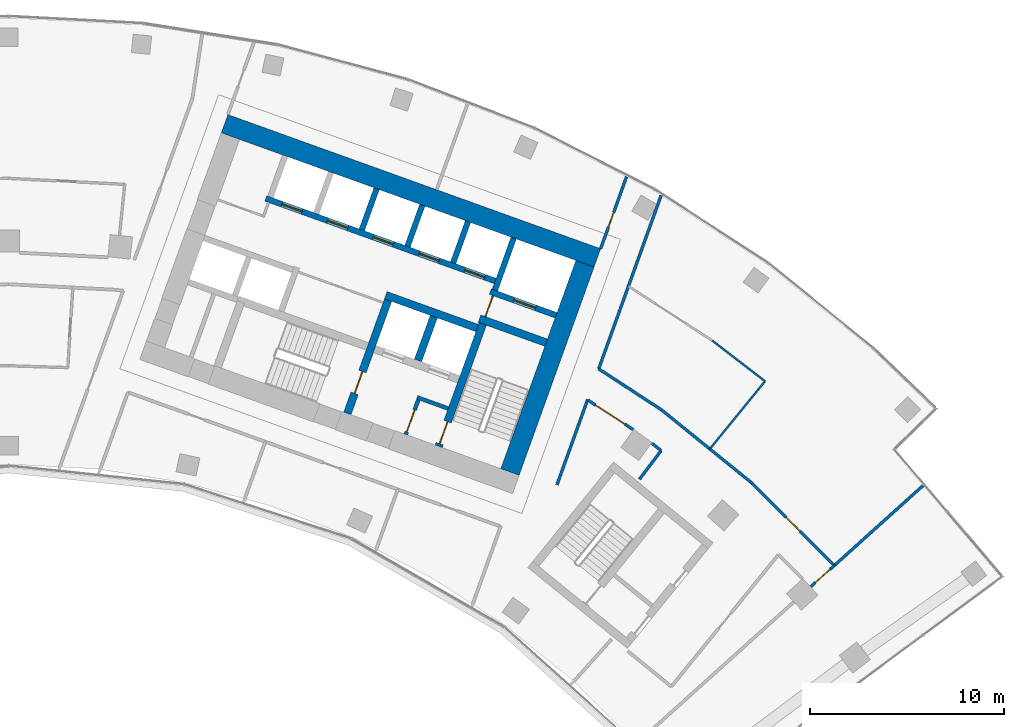
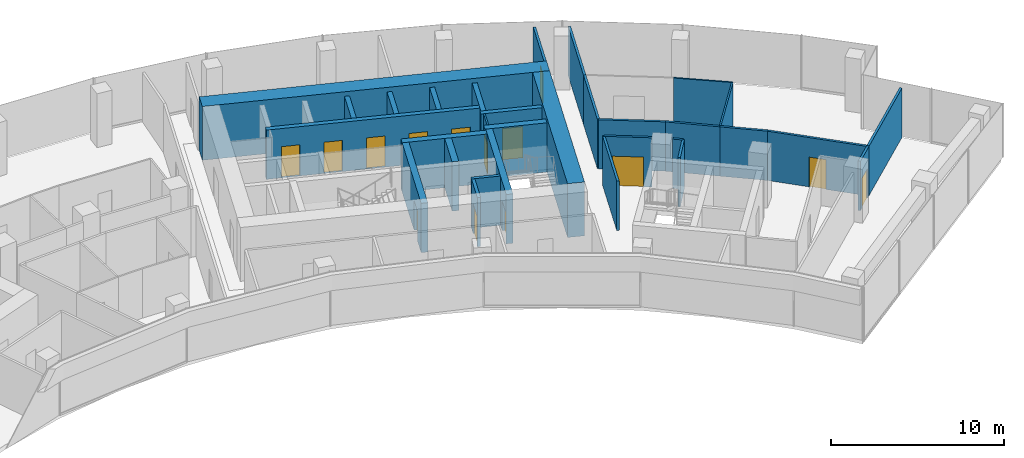
# One storey, part 16 of 19: 31 walls, 14 doors, 14 openings.
"""IFC4 building model written with IfcOpenShell, lengths in metres."""

import ifcopenshell
import ifcopenshell.guid

model = None  # the IFC model being written
_history = None  # IfcOwnerHistory: only IFC2X3 demands one
_inside = {}  # id of a spatial element -> (the spatial element, [elements in it])
_under = {}  # id of a project, library or spatial element -> (it, [spatial elements below it])
_declared = {}  # id of a project -> (the project, [libraries it declares])
_typed = {}  # id of a type object -> (the type object, [elements of that type])
_made_of = {}  # id of a material, layer set ... -> (it, [elements and type objects made of it])


def new_model(schema):
    """Start an empty IFC model of exactly this schema.

    Asked for "IFC4X3", IfcOpenShell would pick the latest addendum, in which some entities
    have other attributes; the version numbers below select the first issue.
    IFC2X3 requires an IfcOwnerHistory on every rooted entity: one is made here for all.
    """
    global model, _history
    if schema == "IFC4X3":
        model = ifcopenshell.file(schema_version=(4, 3, 0, 0))
    else:
        model = ifcopenshell.file(schema=schema)
    _inside.clear()
    _under.clear()
    _declared.clear()
    _typed.clear()
    _made_of.clear()
    _history = None
    if model.schema == "IFC2X3":
        org = make("IfcOrganization", Name="unknown")
        user = make(
            "IfcPersonAndOrganization",
            ThePerson=make("IfcPerson", FamilyName="unknown"),
            TheOrganization=org,
        )
        app = make(
            "IfcApplication",
            ApplicationDeveloper=org,
            Version="unknown",
            ApplicationFullName="unknown",
            ApplicationIdentifier="unknown",
        )
        _history = make(
            "IfcOwnerHistory",
            OwningUser=user,
            OwningApplication=app,
            ChangeAction="ADDED",
            CreationDate=0,
        )
    return model


def make(cls, **values):
    """One entity of the class cls with the attributes given. An attribute that is None is left unset."""
    return model.create_entity(
        cls, **{name: value for name, value in values.items() if value is not None}
    )


def rooted(cls, **values):
    """An entity with a GlobalId (a new one), such as an element, a storey or a relation."""
    return make(cls, GlobalId=ifcopenshell.guid.new(), OwnerHistory=_history, **values)


def si_unit(unit_type, name, prefix=None):
    """IfcSIUnit, for example si_unit("LENGTHUNIT", "METRE", prefix="MILLI")."""
    return make("IfcSIUnit", UnitType=unit_type, Prefix=prefix, Name=name)


def assignment(units):
    """IfcUnitAssignment: the units of a project."""
    return None if units is None else make("IfcUnitAssignment", Units=units)


def point(xyz):
    """IfcCartesianPoint."""
    return None if xyz is None else make("IfcCartesianPoint", Coordinates=xyz)


def direction(xyz):
    """IfcDirection."""
    return None if xyz is None else make("IfcDirection", DirectionRatios=xyz)


def frame(location, z_axis=None, x_axis=None):
    """IfcAxis2Placement3D, a coordinate frame: its origin and axes. An axis left out is left unset."""
    return make(
        "IfcAxis2Placement3D",
        Location=point(location),
        Axis=direction(z_axis),
        RefDirection=direction(x_axis),
    )


def frame_2d(location, x_axis=None):
    """IfcAxis2Placement2D, a coordinate frame in the plane: its origin and x axis."""
    return make(
        "IfcAxis2Placement2D", Location=point(location), RefDirection=direction(x_axis)
    )


def origin():
    """The frame at (0, 0, 0) with its axes left unset."""
    return frame((0.0, 0.0, 0.0))


def place(relative_to, where):
    """IfcLocalPlacement: puts the frame where relative to a parent placement (None: the world)."""
    return make(
        "IfcLocalPlacement", PlacementRelTo=relative_to, RelativePlacement=where
    )


def context(
    kind, dimensions, precision=None, world=None, true_north=None, identifier=None
):
    """IfcGeometricRepresentationContext, for example the 3D "Model" context."""
    return make(
        "IfcGeometricRepresentationContext",
        ContextIdentifier=identifier,
        ContextType=kind,
        CoordinateSpaceDimension=dimensions,
        Precision=precision,
        WorldCoordinateSystem=world,
        TrueNorth=true_north,
    )


def subcontext(parent, identifier, kind, view, scale=None):
    """IfcGeometricRepresentationSubContext, for example "Body" below "Model"."""
    return make(
        "IfcGeometricRepresentationSubContext",
        ContextIdentifier=identifier,
        ContextType=kind,
        ParentContext=parent,
        TargetScale=scale,
        TargetView=view,
    )


def project(units=None, contexts=None):
    """IfcProject with its units and contexts."""
    return rooted(
        "IfcProject",
        Name="project",
        RepresentationContexts=contexts,
        UnitsInContext=assignment(units),
    )


def spatial(cls, under=None, at=None, **own):
    """A site, building, storey or space (cls), placed at a placement, below another one or the project."""
    s = rooted(cls, ObjectPlacement=at, **own)
    if under is not None:
        _under.setdefault(under.id(), (under, []))[1].append(s)
    return s


def profile(cls, at=None, kind="AREA", **sizes):
    """A parametric profile (cls). Its sizes go by their IFC names, for example OverallWidth=200.0."""
    return make(cls, ProfileType=kind, Position=at, **sizes)


def rectangle(**sizes):
    """IfcRectangleProfileDef."""
    return profile("IfcRectangleProfileDef", **sizes)


def extrude(swept, where, along, depth):
    """IfcExtrudedAreaSolid: the profile swept, set in the frame where, extruded along a direction by depth."""
    return make(
        "IfcExtrudedAreaSolid",
        SweptArea=swept,
        Position=where,
        ExtrudedDirection=direction(along),
        Depth=depth,
    )


def shape(context_of_items, identifier, shape_type, items):
    """IfcShapeRepresentation: the items that make up one representation, for example the "Body"."""
    return make(
        "IfcShapeRepresentation",
        ContextOfItems=context_of_items,
        RepresentationIdentifier=identifier,
        RepresentationType=shape_type,
        Items=items,
    )


def material(Name=None, Category=None):
    """IfcMaterial."""
    return make("IfcMaterial", Name=Name, Category=Category)


def layer(
    of_material, thickness, ventilated=None, Name=None, Category=None, Priority=None
):
    """IfcMaterialLayer: one layer of a wall or slab, of a material (None: an air gap)."""
    return make(
        "IfcMaterialLayer",
        Material=of_material,
        LayerThickness=thickness,
        IsVentilated=ventilated,
        Name=Name,
        Category=Category,
        Priority=Priority,
    )


def layer_set(layers, Name=None):
    """IfcMaterialLayerSet."""
    return make("IfcMaterialLayerSet", MaterialLayers=layers, LayerSetName=Name)


def made_of(thing, what):
    """Note that an element or type object is made of a material, layer set ...; save() writes the relation."""
    if what is not None:
        _made_of.setdefault(what.id(), (what, []))[1].append(thing)
    return thing


def type_object(cls, material=None, **own):
    """A type object (cls), such as IfcWallType, which elements share."""
    return made_of(rooted(cls, **own), material)


def element(
    cls,
    number,
    at=None,
    inside=None,
    cuts=None,
    type_object=None,
    material=None,
    context=None,
    identifier="Body",
    shape_type=None,
    held_by="IfcProductDefinitionShape",
    body=None,
    shapes=None,
    **own,
):
    """One element of the class cls, such as IfcWall. Its Tag is "e" and its number.

    at: its placement. inside: the storey or other place that contains it. cuts: it is an
    opening in that element (IfcRelVoidsElement). A single representation is given by context,
    identifier, shape_type and body (its items); several are given by shapes. held_by: the class
    of the entity that holds the representations. save() writes the other relations.
    """
    e = rooted(cls, Tag="e%d" % number, ObjectPlacement=at, **own)
    if body is not None:
        shapes = [shape(context, identifier, shape_type, body)]
    if shapes is not None:
        e.Representation = make(held_by, Representations=shapes)
    if inside is not None:
        _inside.setdefault(inside.id(), (inside, []))[1].append(e)
    if cuts is not None:
        rooted(
            "IfcRelVoidsElement", RelatingBuildingElement=cuts, RelatedOpeningElement=e
        )
    if type_object is not None:
        _typed.setdefault(type_object.id(), (type_object, []))[1].append(e)
    return made_of(e, material)


def fill(opening, filler):
    """IfcRelFillsElement: the door or window that sits in an opening."""
    return rooted(
        "IfcRelFillsElement",
        RelatingOpeningElement=opening,
        RelatedBuildingElement=filler,
    )


def aggregate(whole, parts):
    """IfcRelAggregates: a whole, such as a stair, and the parts it consists of."""
    return rooted("IfcRelAggregates", RelatingObject=whole, RelatedObjects=parts)


def save(model, path):
    """Write the relations noted so far, then the file.

    IfcRelAggregates (storeys below a building ...), IfcRelContainedInSpatialStructure (elements
    in a storey), IfcRelDefinesByType, IfcRelAssociatesMaterial and IfcRelDeclares: one each for
    every whole, place, type object, material and project.
    """
    for whole, parts in _under.values():
        aggregate(whole, parts)
    for where, things in _inside.values():
        rooted(
            "IfcRelContainedInSpatialStructure",
            RelatedElements=things,
            RelatingStructure=where,
        )
    for kind, things in _typed.values():
        rooted("IfcRelDefinesByType", RelatedObjects=things, RelatingType=kind)
    for what, things in _made_of.values():
        rooted("IfcRelAssociatesMaterial", RelatedObjects=things, RelatingMaterial=what)
    for by, libraries in _declared.values():
        rooted("IfcRelDeclares", RelatingContext=by, RelatedDefinitions=libraries)
    model.write(path)


model = new_model("IFC4")

# Units and contexts
model_context = context("Model", 3, precision=1e-05, world=origin(), true_north=direction((0.0, 1.0)))
body_context = subcontext(model_context, "Body", "Model", "MODEL_VIEW")
ifc_project = project(units=[si_unit("LENGTHUNIT", "METRE"), si_unit("AREAUNIT", "SQUARE_METRE"), si_unit("VOLUMEUNIT", "CUBIC_METRE"), si_unit("PLANEANGLEUNIT", "RADIAN"), si_unit("MASSUNIT", "GRAM", prefix="KILO")], contexts=[model_context])

# Site, building, storey
site_placement = place(None, origin())
site = spatial("IfcSite", under=ifc_project, at=site_placement, CompositionType="ELEMENT")
building_placement = place(site_placement, origin())
building = spatial("IfcBuilding", under=site, at=building_placement, Name="Stone Belt Terrace Tower", CompositionType="ELEMENT")
storey_placement = place(building_placement, frame((0.0, 0.0, 204.800048828125)))
storey = spatial("IfcBuildingStorey", under=building, at=storey_placement, Name="L49", CompositionType="ELEMENT", Elevation=204.800048828125)

# Wall, opening, door
ifc_material_1 = material(Name="Plasterboard partition")
ifc_layer_1 = layer(ifc_material_1, 0.10009765625)
ifc_layer_set_1 = layer_set([ifc_layer_1], Name="Core partition 100")
wall_type_1 = type_object("IfcWallType", Name="Core partition 100", PredefinedType="PARTITIONING", material=ifc_layer_set_1)
wall_1_placement = place(storey_placement, frame((24.555908203125, 51.10400390625, 0.0), z_axis=(0.0, 0.0, 1.0), x_axis=(0.338621735342, 0.94092258999, 0.0)))
wall_1 = element("IfcWall", 1, at=wall_1_placement, inside=storey, type_object=wall_type_1, Name="Core B wall", PredefinedType="PARTITIONING", context=body_context, shape_type="SweptSolid", body=[
    extrude(rectangle(XDim=1.14990234375, YDim=0.10009765625, at=frame_2d((0.574951171875, 0.0))), origin(), (0.0, 0.0, 1.0), 3.47998046875),
])
opening_1_placement = place(wall_1_placement, frame((0.050048828125, 0.0, 0.0)))
opening_1 = element("IfcOpeningElement", 2, at=opening_1_placement, cuts=wall_1, Name="Opening L49-C14", PredefinedType="OPENING", context=body_context, shape_type="SweptSolid", body=[
    extrude(rectangle(XDim=1.0, YDim=2.10009765625, at=frame_2d((0.5, 1.050048828125))), frame((0.0, 0.06005859375, 0.0), z_axis=(0.0, -1.0, 0.0), x_axis=(1.0, 0.0, 0.0)), (0.0, 0.0, 1.0), 0.1201171875),
])
ifc_material_2 = material(Name="Timber door leaf", Category="wood")
door_type_1 = type_object("IfcDoorType", Name="Core room door 1000", OperationType="SINGLE_SWING_LEFT", PredefinedType="DOOR", material=ifc_material_2)
door_1_placement = place(opening_1_placement, origin())
door_1 = element("IfcDoor", 3, at=door_1_placement, inside=storey, type_object=door_type_1, Name="Service lift lobby door core B", OperationType="SINGLE_SWING_LEFT", OverallHeight=2.10009765625, OverallWidth=1.0, PredefinedType="DOOR", context=body_context, shape_type="SweptSolid", body=[
    extrude(rectangle(XDim=1.0, YDim=2.10009765625, at=frame_2d((0.5, 1.050048828125))), frame((0.0, 0.02490234375, 0.0), z_axis=(0.0, -1.0, 0.0), x_axis=(1.0, 0.0, 0.0)), (0.0, 0.0, 1.0), 0.050048828125),
])
fill(opening_1, door_1)

# Walls
ifc_material_3 = material(Name="Concrete B60", Category="concrete")
ifc_layer_2 = layer(ifc_material_3, 1.0)
ifc_layer_set_2 = layer_set([ifc_layer_2], Name="Core wall 1000 B60")
wall_type_2 = type_object("IfcWallType", Name="Core wall 1000 B60", PredefinedType="SHEAR", material=ifc_layer_set_2)
wall_2_placement = place(storey_placement, frame((11.12646484375, 61.038330078125, 0.0), z_axis=(0.0, 0.0, 1.0), x_axis=(0.940921428504, -0.338624962727, 0.0)))
element("IfcWall", 4, at=wall_2_placement, inside=storey, type_object=wall_type_2, Name="Core B wall convex L49", PredefinedType="SHEAR", context=body_context, shape_type="SweptSolid", body=[
    extrude(rectangle(XDim=20.400146484375, YDim=1.0, at=frame_2d((10.2001953125, 0.0))), origin(), (0.0, 0.0, 1.0), 3.800048828125),
])
wall_3_placement = place(storey_placement, frame((25.821044921875, 43.102783203125, 0.0), z_axis=(0.0, 0.0, 1.0), x_axis=(0.338625431531, 0.940921259788, 0.0)))
element("IfcWall", 5, at=wall_3_placement, inside=storey, type_object=wall_type_2, Name="Core B wall end_b L49", PredefinedType="SHEAR", context=body_context, shape_type="SweptSolid", body=[
    extrude(rectangle(XDim=11.400146484375, YDim=1.0, at=frame_2d((5.7001953125, 0.0))), origin(), (0.0, 0.0, 1.0), 3.800048828125),
])
ifc_material_4 = material(Name="Concrete B80", Category="concrete")
ifc_layer_3 = layer(ifc_material_4, 0.39990234375)
ifc_layer_set_3 = layer_set([ifc_layer_3], Name="Fire-fighting lift shaft wall 400")
wall_type_3 = type_object("IfcWallType", Name="Fire-fighting lift shaft wall 400", PredefinedType="SHEAR", material=ifc_layer_set_3)
wall_4_placement = place(storey_placement, frame((24.130615234375, 50.512939453125, 0.0), z_axis=(0.0, 0.0, 1.0), x_axis=(-0.94091168377, 0.338652038744, 0.0)))
element("IfcWall", 6, at=wall_4_placement, inside=storey, type_object=wall_type_3, Name="Core B wall", PredefinedType="SHEAR", context=body_context, shape_type="SweptSolid", body=[
    extrude(rectangle(XDim=5.000244140625, YDim=0.39990234375, at=frame_2d((2.5, 0.0))), origin(), (0.0, 0.0, 1.0), 3.47998046875),
])
wall_5_placement = place(storey_placement, frame((21.0859375, 48.845458984375, 0.0), z_axis=(0.0, 0.0, 1.0), x_axis=(0.338629416206, 0.940919825745, 0.0)))
element("IfcWall", 7, at=wall_5_placement, inside=storey, type_object=wall_type_3, Name="Core B wall", PredefinedType="SHEAR", context=body_context, shape_type="SweptSolid", body=[
    extrude(rectangle(XDim=2.400146484375, YDim=0.39990234375, at=frame_2d((1.2001953125, 0.0))), origin(), (0.0, 0.0, 1.0), 3.47998046875),
])

# Wall, opening, door
ifc_layer_4 = layer(ifc_material_4, 0.300048828125)
ifc_layer_set_4 = layer_set([ifc_layer_4], Name="Lift shaft wall 300")
wall_type_4 = type_object("IfcWallType", Name="Lift shaft wall 300", PredefinedType="SHEAR", material=ifc_layer_set_4)
wall_6_placement = place(storey_placement, frame((28.195068359375, 51.17578125, 0.0), z_axis=(0.0, 0.0, 1.0), x_axis=(-0.940901243567, 0.338681044427, 0.0)))
wall_6 = element("IfcWall", 8, at=wall_6_placement, inside=storey, type_object=wall_type_4, Name="Core B wall", PredefinedType="SHEAR", context=body_context, shape_type="SweptSolid", body=[
    extrude(rectangle(XDim=3.599853515625, YDim=0.300048828125, at=frame_2d((1.7998046875, 0.0))), origin(), (0.0, 0.0, 1.0), 3.47998046875),
])
opening_2_placement = place(wall_6_placement, frame((1.1201171875, 0.0, 0.0)))
opening_2 = element("IfcOpeningElement", 9, at=opening_2_placement, cuts=wall_6, Name="Opening L49-LD16", PredefinedType="OPENING", context=body_context, shape_type="SweptSolid", body=[
    extrude(rectangle(XDim=1.199951171875, YDim=2.199951171875, at=frame_2d((0.60009765625, 1.10009765625))), frame((0.0, 0.159912109375, 0.0), z_axis=(0.0, -1.0, 0.0), x_axis=(1.0, 0.0, 0.0)), (0.0, 0.0, 1.0), 0.320068359375),
])
ifc_material_5 = material(Name="Stainless steel door leaf", Category="steel")
door_type_2 = type_object("IfcDoorType", Name="Landing door 1200", OperationType="SLIDING_TO_LEFT", PredefinedType="DOOR", material=ifc_material_5)
door_2_placement = place(opening_2_placement, origin())
door_2 = element("IfcDoor", 10, at=door_2_placement, inside=storey, type_object=door_type_2, Name="Landing door SV1 core B", OperationType="SLIDING_TO_LEFT", OverallHeight=2.199951171875, OverallWidth=1.199951171875, PredefinedType="DOOR", context=body_context, shape_type="SweptSolid", body=[
    extrude(rectangle(XDim=1.199951171875, YDim=2.199951171875, at=frame_2d((0.60009765625, 1.10009765625))), frame((0.0, 0.02490234375, 0.0), z_axis=(0.0, -1.0, 0.0), x_axis=(1.0, 0.0, 0.0)), (0.0, 0.0, 1.0), 0.050048828125),
])
fill(opening_2, door_2)

# Wall
wall_7_placement = place(storey_placement, frame((25.046875, 52.46826171875, 0.0), z_axis=(0.0, 0.0, 1.0), x_axis=(0.338549588058, 0.940948551423, 0.0)))
element("IfcWall", 11, at=wall_7_placement, inside=storey, type_object=wall_type_4, Name="Core B wall", PredefinedType="SHEAR", context=body_context, shape_type="SweptSolid", body=[
    extrude(rectangle(XDim=2.849853515625, YDim=0.300048828125, at=frame_2d((1.4248046875, 0.0))), origin(), (0.0, 0.0, 1.0), 3.47998046875),
])

# Wall, openings, doors
wall_8_placement = place(storey_placement, frame((25.05810546875, 52.9423828125, 0.0), z_axis=(0.0, 0.0, 1.0), x_axis=(-0.940921381676, 0.338625092847, 0.0)))
wall_8 = element("IfcWall", 12, at=wall_8_placement, inside=storey, type_object=wall_type_4, Name="Core B wall", PredefinedType="SHEAR", context=body_context, shape_type="SweptSolid", body=[
    extrude(rectangle(XDim=12.550048828125, YDim=0.300048828125, at=frame_2d((6.27490234375, 0.0))), origin(), (0.0, 0.0, 1.0), 3.47998046875),
])
opening_3_placement = place(wall_8_placement, frame((0.570068359375, 0.0, 0.0)))
opening_3 = element("IfcOpeningElement", 13, at=opening_3_placement, cuts=wall_8, Name="Opening L49-LD09", PredefinedType="OPENING", context=body_context, shape_type="SweptSolid", body=[
    extrude(rectangle(XDim=1.10009765625, YDim=2.199951171875, at=frame_2d((0.550048828125, 1.10009765625))), frame((0.0, 0.159912109375, 0.0), z_axis=(0.0, -1.0, 0.0), x_axis=(1.0, 0.0, 0.0)), (0.0, 0.0, 1.0), 0.320068359375),
])
opening_4_placement = place(wall_8_placement, frame((3.070068359375, 0.0, 0.0)))
opening_4 = element("IfcOpeningElement", 14, at=opening_4_placement, cuts=wall_8, Name="Opening L49-LD10", PredefinedType="OPENING", context=body_context, shape_type="SweptSolid", body=[
    extrude(rectangle(XDim=1.10009765625, YDim=2.199951171875, at=frame_2d((0.550048828125, 1.10009765625))), frame((0.0, 0.159912109375, 0.0), z_axis=(0.0, -1.0, 0.0), x_axis=(1.0, 0.0, 0.0)), (0.0, 0.0, 1.0), 0.320068359375),
])
opening_5_placement = place(wall_8_placement, frame((5.570068359375, 0.0, 0.0)))
opening_5 = element("IfcOpeningElement", 15, at=opening_5_placement, cuts=wall_8, Name="Opening L49-LD11", PredefinedType="OPENING", context=body_context, shape_type="SweptSolid", body=[
    extrude(rectangle(XDim=1.10009765625, YDim=2.199951171875, at=frame_2d((0.550048828125, 1.10009765625))), frame((0.0, 0.159912109375, 0.0), z_axis=(0.0, -1.0, 0.0), x_axis=(1.0, 0.0, 0.0)), (0.0, 0.0, 1.0), 0.320068359375),
])
opening_6_placement = place(wall_8_placement, frame((8.070068359375, 0.0, 0.0)))
opening_6 = element("IfcOpeningElement", 16, at=opening_6_placement, cuts=wall_8, Name="Opening L49-LD12", PredefinedType="OPENING", context=body_context, shape_type="SweptSolid", body=[
    extrude(rectangle(XDim=1.10009765625, YDim=2.199951171875, at=frame_2d((0.550048828125, 1.10009765625))), frame((0.0, 0.159912109375, 0.0), z_axis=(0.0, -1.0, 0.0), x_axis=(1.0, 0.0, 0.0)), (0.0, 0.0, 1.0), 0.320068359375),
])
opening_7_placement = place(wall_8_placement, frame((10.570068359375, 0.0, 0.0)))
opening_7 = element("IfcOpeningElement", 17, at=opening_7_placement, cuts=wall_8, Name="Opening L49-LD13", PredefinedType="OPENING", context=body_context, shape_type="SweptSolid", body=[
    extrude(rectangle(XDim=1.10009765625, YDim=2.199951171875, at=frame_2d((0.550048828125, 1.10009765625))), frame((0.0, 0.159912109375, 0.0), z_axis=(0.0, -1.0, 0.0), x_axis=(1.0, 0.0, 0.0)), (0.0, 0.0, 1.0), 0.320068359375),
])
door_type_3 = type_object("IfcDoorType", Name="Landing door 1100", OperationType="SLIDING_TO_LEFT", PredefinedType="DOOR", material=ifc_material_5)
door_3_placement = place(opening_3_placement, origin())
door_3 = element("IfcDoor", 18, at=door_3_placement, inside=storey, type_object=door_type_3, Name="Landing door MR1 core B", OperationType="SLIDING_TO_LEFT", OverallHeight=2.199951171875, OverallWidth=1.10009765625, PredefinedType="DOOR", context=body_context, shape_type="SweptSolid", body=[
    extrude(rectangle(XDim=1.10009765625, YDim=2.199951171875, at=frame_2d((0.550048828125, 1.10009765625))), frame((0.0, 0.02490234375, 0.0), z_axis=(0.0, -1.0, 0.0), x_axis=(1.0, 0.0, 0.0)), (0.0, 0.0, 1.0), 0.050048828125),
])
fill(opening_3, door_3)
door_4_placement = place(opening_4_placement, origin())
door_4 = element("IfcDoor", 19, at=door_4_placement, inside=storey, type_object=door_type_3, Name="Landing door MR2 core B", OperationType="SLIDING_TO_LEFT", OverallHeight=2.199951171875, OverallWidth=1.10009765625, PredefinedType="DOOR", context=body_context, shape_type="SweptSolid", body=[
    extrude(rectangle(XDim=1.10009765625, YDim=2.199951171875, at=frame_2d((0.550048828125, 1.10009765625))), frame((0.0, 0.02490234375, 0.0), z_axis=(0.0, -1.0, 0.0), x_axis=(1.0, 0.0, 0.0)), (0.0, 0.0, 1.0), 0.050048828125),
])
fill(opening_4, door_4)
door_5_placement = place(opening_5_placement, origin())
door_5 = element("IfcDoor", 20, at=door_5_placement, inside=storey, type_object=door_type_3, Name="Landing door MR3 core B", OperationType="SLIDING_TO_LEFT", OverallHeight=2.199951171875, OverallWidth=1.10009765625, PredefinedType="DOOR", context=body_context, shape_type="SweptSolid", body=[
    extrude(rectangle(XDim=1.10009765625, YDim=2.199951171875, at=frame_2d((0.550048828125, 1.10009765625))), frame((0.0, 0.02490234375, 0.0), z_axis=(0.0, -1.0, 0.0), x_axis=(1.0, 0.0, 0.0)), (0.0, 0.0, 1.0), 0.050048828125),
])
fill(opening_5, door_5)
door_6_placement = place(opening_6_placement, origin())
door_6 = element("IfcDoor", 21, at=door_6_placement, inside=storey, type_object=door_type_3, Name="Landing door MR4 core B", OperationType="SLIDING_TO_LEFT", OverallHeight=2.199951171875, OverallWidth=1.10009765625, PredefinedType="DOOR", context=body_context, shape_type="SweptSolid", body=[
    extrude(rectangle(XDim=1.10009765625, YDim=2.199951171875, at=frame_2d((0.550048828125, 1.10009765625))), frame((0.0, 0.02490234375, 0.0), z_axis=(0.0, -1.0, 0.0), x_axis=(1.0, 0.0, 0.0)), (0.0, 0.0, 1.0), 0.050048828125),
])
fill(opening_6, door_6)
door_7_placement = place(opening_7_placement, origin())
door_7 = element("IfcDoor", 22, at=door_7_placement, inside=storey, type_object=door_type_3, Name="Landing door MR5 core B", OperationType="SLIDING_TO_LEFT", OverallHeight=2.199951171875, OverallWidth=1.10009765625, PredefinedType="DOOR", context=body_context, shape_type="SweptSolid", body=[
    extrude(rectangle(XDim=1.10009765625, YDim=2.199951171875, at=frame_2d((0.550048828125, 1.10009765625))), frame((0.0, 0.02490234375, 0.0), z_axis=(0.0, -1.0, 0.0), x_axis=(1.0, 0.0, 0.0)), (0.0, 0.0, 1.0), 0.050048828125),
])
fill(opening_7, door_7)

# Walls
wall_9_placement = place(storey_placement, frame((22.897705078125, 53.87939453125, 0.0), z_axis=(0.0, 0.0, 1.0), x_axis=(0.338535034312, 0.940953787677, 0.0)))
element("IfcWall", 23, at=wall_9_placement, inside=storey, type_object=wall_type_4, Name="Core B wall", PredefinedType="SHEAR", context=body_context, shape_type="SweptSolid", body=[
    extrude(rectangle(XDim=2.25, YDim=0.300048828125, at=frame_2d((1.125, 0.0))), origin(), (0.0, 0.0, 1.0), 3.47998046875),
])
wall_10_placement = place(storey_placement, frame((20.54541015625, 54.72607421875, 0.0), z_axis=(0.0, 0.0, 1.0), x_axis=(0.338569601369, 0.940941350472, 0.0)))
element("IfcWall", 24, at=wall_10_placement, inside=storey, type_object=wall_type_4, Name="Core B wall", PredefinedType="SHEAR", context=body_context, shape_type="SweptSolid", body=[
    extrude(rectangle(XDim=2.249755859375, YDim=0.300048828125, at=frame_2d((1.125, 0.0))), origin(), (0.0, 0.0, 1.0), 3.47998046875),
])
wall_11_placement = place(storey_placement, frame((18.193115234375, 55.572509765625, 0.0), z_axis=(0.0, 0.0, 1.0), x_axis=(0.338535034312, 0.940953787677, 0.0)))
element("IfcWall", 25, at=wall_11_placement, inside=storey, type_object=wall_type_4, Name="Core B wall", PredefinedType="SHEAR", context=body_context, shape_type="SweptSolid", body=[
    extrude(rectangle(XDim=2.25, YDim=0.300048828125, at=frame_2d((1.125, 0.0))), origin(), (0.0, 0.0, 1.0), 3.47998046875),
])
ifc_material_6 = material(Name="Gypsum board partition")
ifc_layer_5 = layer(ifc_material_6, 0.10009765625)
ifc_layer_set_5 = layer_set([ifc_layer_5], Name="PARTITION 100")
wall_type_5 = type_object("IfcWallType", Name="PARTITION 100", PredefinedType="PARTITIONING", material=ifc_layer_set_5)
wall_12_placement = place(storey_placement, frame((36.113037109375, 44.2900390625, 0.0), z_axis=(0.0, 0.0, 1.0), x_axis=(0.631794915576, 0.77513559114, 0.0)))
element("IfcWall", 26, at=wall_12_placement, inside=storey, type_object=wall_type_5, Name="L49/wall/i069", PredefinedType="PARTITIONING", context=body_context, shape_type="SweptSolid", body=[
    extrude(rectangle(XDim=4.5, YDim=0.10009765625, at=frame_2d((2.25, 0.0))), origin(), (0.0, 0.0, 1.0), 3.47998046875),
])
wall_13_placement = place(storey_placement, frame((38.9560546875, 47.778076171875, 0.0), z_axis=(0.0, 0.0, 1.0), x_axis=(-0.792351688329, 0.610064588385, 0.0)))
element("IfcWall", 27, at=wall_13_placement, inside=storey, type_object=wall_type_5, Name="L49/wall/i070", PredefinedType="PARTITIONING", context=body_context, shape_type="SweptSolid", body=[
    extrude(rectangle(XDim=3.43408203125, YDim=0.10009765625, at=frame_2d((1.717041015625, 0.0))), origin(), (0.0, 0.0, 1.0), 3.47998046875),
])

# Wall, opening, door
ifc_layer_6 = layer(ifc_material_6, 0.14990234375)
ifc_layer_set_6 = layer_set([ifc_layer_6], Name="PARTITION 150 EI 60")
wall_type_6 = type_object("IfcWallType", Name="PARTITION 150 EI 60", PredefinedType="PARTITIONING", material=ifc_layer_set_6)
wall_14_placement = place(storey_placement, frame((30.490966796875, 54.60107421875, 0.0), z_axis=(0.0, 0.0, 1.0), x_axis=(0.338542007836, 0.940951278723, 0.0)))
wall_14 = element("IfcWall", 28, at=wall_14_placement, inside=storey, type_object=wall_type_6, Name="L49/wall/i028", PredefinedType="PARTITIONING", context=body_context, shape_type="SweptSolid", body=[
    extrude(rectangle(XDim=3.946044921875, YDim=0.14990234375, at=frame_2d((1.97314453125, 0.0))), origin(), (0.0, 0.0, 1.0), 3.47998046875),
])
opening_8_placement = place(wall_14_placement, frame((1.191162109375, 0.0, 0.0)))
opening_8 = element("IfcOpeningElement", 29, at=opening_8_placement, cuts=wall_14, Name="Opening D-D2-10", PredefinedType="OPENING", context=body_context, shape_type="SweptSolid", body=[
    extrude(rectangle(XDim=0.800048828125, YDim=2.10009765625, at=frame_2d((0.39990234375, 1.050048828125))), frame((0.0, 0.0849609375, 0.0), z_axis=(0.0, -1.0, 0.0), x_axis=(1.0, 0.0, 0.0)), (0.0, 0.0, 1.0), 0.169921875),
])
door_type_4 = type_object("IfcDoorType", Name="STORE DOOR 800 X 2100", OperationType="NOTDEFINED", PredefinedType="DOOR", material=ifc_material_2)
door_8_placement = place(opening_8_placement, origin())
door_8 = element("IfcDoor", 30, at=door_8_placement, inside=storey, type_object=door_type_4, Name="L49/door/i10", OperationType="SINGLE_SWING_LEFT", OverallHeight=2.10009765625, OverallWidth=0.800048828125, PredefinedType="DOOR", context=body_context, shape_type="SweptSolid", body=[
    extrude(rectangle(XDim=0.800048828125, YDim=2.10009765625, at=frame_2d((0.39990234375, 1.050048828125))), frame((0.0, 0.02490234375, 0.0), z_axis=(0.0, -1.0, 0.0), x_axis=(1.0, 0.0, 0.0)), (0.0, 0.0, 1.0), 0.050048828125),
])
fill(opening_8, door_8)

# Walls
wall_15_placement = place(storey_placement, frame((29.819091796875, 46.826904296875, 0.0), z_axis=(0.0, 0.0, 1.0), x_axis=(-0.338628568837, -0.940920130706, 0.0)))
element("IfcWall", 31, at=wall_15_placement, inside=storey, type_object=wall_type_6, Name="L49/wall/i029", PredefinedType="PARTITIONING", context=body_context, shape_type="SweptSolid", body=[
    extrude(rectangle(XDim=4.660400390625, YDim=0.14990234375, at=frame_2d((2.330078125, 0.0))), origin(), (0.0, 0.0, 1.0), 3.47998046875),
])
wall_16_placement = place(storey_placement, frame((33.60791015625, 57.35400390625, 0.0), z_axis=(0.0, 0.0, 1.0), x_axis=(-0.33866393148, -0.940907403263, 0.0)))
element("IfcWall", 32, at=wall_16_placement, inside=storey, type_object=wall_type_6, Name="L49/wall/i031", PredefinedType="PARTITIONING", context=body_context, shape_type="SweptSolid", body=[
    extrude(rectangle(XDim=4.9814453125, YDim=0.14990234375, at=frame_2d((2.49072265625, 0.0))), origin(), (0.0, 0.0, 1.0), 3.47998046875),
])
wall_17_placement = place(storey_placement, frame((31.925048828125, 52.678955078125, 0.0), z_axis=(0.0, 0.0, 1.0), x_axis=(-0.338578458455, -0.940938163468, 0.0)))
element("IfcWall", 33, at=wall_17_placement, inside=storey, type_object=wall_type_6, Name="L49/wall/i032", PredefinedType="PARTITIONING", context=body_context, shape_type="SweptSolid", body=[
    extrude(rectangle(XDim=4.537109375, YDim=0.14990234375, at=frame_2d((2.2685546875, 0.0))), origin(), (0.0, 0.0, 1.0), 3.47998046875),
])

# Wall, opening, door
wall_18_placement = place(storey_placement, frame((42.531005859375, 38.2939453125, 0.0), z_axis=(0.0, 0.0, 1.0), x_axis=(-0.743450987947, -0.668790421972, 0.0)))
wall_18 = element("IfcWall", 34, at=wall_18_placement, inside=storey, type_object=wall_type_6, Name="L49/wall/i056", PredefinedType="PARTITIONING", context=body_context, shape_type="SweptSolid", body=[
    extrude(rectangle(XDim=1.625244140625, YDim=0.14990234375, at=frame_2d((0.8125, 0.0))), origin(), (0.0, 0.0, 1.0), 3.47998046875),
])
opening_9_placement = place(wall_18_placement, frame((0.312744140625, 0.0, 0.0)))
opening_9 = element("IfcOpeningElement", 35, at=opening_9_placement, cuts=wall_18, Name="Opening D-D2-17", PredefinedType="OPENING", context=body_context, shape_type="SweptSolid", body=[
    extrude(rectangle(XDim=1.0, YDim=2.10009765625, at=frame_2d((0.5, 1.050048828125))), frame((0.0, 0.0849609375, 0.0), z_axis=(0.0, -1.0, 0.0), x_axis=(1.0, 0.0, 0.0)), (0.0, 0.0, 1.0), 0.169921875),
])
ifc_material_7 = material(Name="Timber fire door leaf", Category="wood")
door_type_5 = type_object("IfcDoorType", Name="TENANCY ENTRANCE DOOR 1000 X 2100", OperationType="NOTDEFINED", PredefinedType="DOOR", material=ifc_material_7)
door_9_placement = place(opening_9_placement, origin())
door_9 = element("IfcDoor", 36, at=door_9_placement, inside=storey, type_object=door_type_5, Name="L49/door/i17", OperationType="SINGLE_SWING_RIGHT", OverallHeight=2.10009765625, OverallWidth=1.0, PredefinedType="DOOR", context=body_context, shape_type="SweptSolid", body=[
    extrude(rectangle(XDim=1.0, YDim=2.10009765625, at=frame_2d((0.5, 1.050048828125))), frame((0.0, 0.02490234375, 0.0), z_axis=(0.0, -1.0, 0.0), x_axis=(1.0, 0.0, 0.0)), (0.0, 0.0, 1.0), 0.050048828125),
])
fill(opening_9, door_9)

# Walls
wall_19_placement = place(storey_placement, frame((42.52197265625, 38.287109375, 0.0), z_axis=(0.0, 0.0, 1.0), x_axis=(0.743181838168, 0.669089497315, 0.0)))
element("IfcWall", 37, at=wall_19_placement, inside=storey, type_object=wall_type_6, Name="L49/wall/i058", PredefinedType="PARTITIONING", context=body_context, shape_type="SweptSolid", body=[
    extrude(rectangle(XDim=6.161865234375, YDim=0.14990234375, at=frame_2d((3.0810546875, 0.0))), origin(), (0.0, 0.0, 1.0), 3.47998046875),
])
wall_20_placement = place(storey_placement, frame((32.487060546875, 42.72900390625, 0.0), z_axis=(0.0, 0.0, 1.0), x_axis=(0.604748058322, 0.796416841834, 0.0)))
element("IfcWall", 38, at=wall_20_placement, inside=storey, type_object=wall_type_6, Name="L49/wall/i059", PredefinedType="PARTITIONING", context=body_context, shape_type="SweptSolid", body=[
    extrude(rectangle(XDim=1.846923828125, YDim=0.14990234375, at=frame_2d((0.92333984375, 0.0))), origin(), (0.0, 0.0, 1.0), 3.47998046875),
])
wall_21_placement = place(storey_placement, frame((33.60302734375, 44.202880859375, 0.0), z_axis=(0.0, 0.0, 1.0), x_axis=(-0.77751985782, 0.628858386838, 0.0)))
element("IfcWall", 39, at=wall_21_placement, inside=storey, type_object=wall_type_6, Name="L49/wall/i060", PredefinedType="PARTITIONING", context=body_context, shape_type="SweptSolid", body=[
    extrude(rectangle(XDim=0.599365234375, YDim=0.14990234375, at=frame_2d((0.2998046875, 0.0))), origin(), (0.0, 0.0, 1.0), 3.47998046875),
])

# Wall, opening, door
wall_22_placement = place(storey_placement, frame((32.158935546875, 45.2919921875, 0.0), z_axis=(0.0, 0.0, 1.0), x_axis=(-0.837372487625, 0.546632707555, 0.0)))
wall_22 = element("IfcWall", 40, at=wall_22_placement, inside=storey, type_object=wall_type_6, Name="L49/wall/i061", PredefinedType="PARTITIONING", context=body_context, shape_type="SweptSolid", body=[
    extrude(rectangle(XDim=2.79541015625, YDim=0.14990234375, at=frame_2d((1.397705078125, 0.0))), origin(), (0.0, 0.0, 1.0), 3.47998046875),
])
opening_10_placement = place(wall_22_placement, frame((0.497802734375, 0.0, 0.0)))
opening_10 = element("IfcOpeningElement", 41, at=opening_10_placement, cuts=wall_22, Name="Opening D-D2-18", PredefinedType="OPENING", context=body_context, shape_type="SweptSolid", body=[
    extrude(rectangle(XDim=1.800048828125, YDim=2.10009765625, at=frame_2d((0.89990234375, 1.050048828125))), frame((0.0, 0.0849609375, 0.0), z_axis=(0.0, -1.0, 0.0), x_axis=(1.0, 0.0, 0.0)), (0.0, 0.0, 1.0), 0.169921875),
])
door_type_6 = type_object("IfcDoorType", Name="DOUBLE DOOR 1800 X 2100", OperationType="DOUBLE_DOOR_SINGLE_SWING", PredefinedType="DOOR", material=ifc_material_2)
door_10_placement = place(opening_10_placement, origin())
door_10 = element("IfcDoor", 42, at=door_10_placement, inside=storey, type_object=door_type_6, Name="L49/door/i18", OperationType="DOUBLE_DOOR_SINGLE_SWING", OverallHeight=2.10009765625, OverallWidth=1.800048828125, PredefinedType="DOOR", context=body_context, shape_type="SweptSolid", body=[
    extrude(rectangle(XDim=1.800048828125, YDim=2.10009765625, at=frame_2d((0.89990234375, 1.050048828125))), frame((0.0, 0.02490234375, 0.0), z_axis=(0.0, -1.0, 0.0), x_axis=(1.0, 0.0, 0.0)), (0.0, 0.0, 1.0), 0.050048828125),
])
fill(opening_10, door_10)

# Wall
wall_23_placement = place(storey_placement, frame((36.10791015625, 44.2939453125, 0.0), z_axis=(0.0, 0.0, 1.0), x_axis=(0.777182094229, -0.629275768173, 0.0)))
element("IfcWall", 43, at=wall_23_placement, inside=storey, type_object=wall_type_6, Name="L49/wall/i063", PredefinedType="PARTITIONING", context=body_context, shape_type="SweptSolid", body=[
    extrude(rectangle(XDim=2.807861328125, YDim=0.14990234375, at=frame_2d((1.40380859375, 0.0))), origin(), (0.0, 0.0, 1.0), 3.47998046875),
])

# Wall, opening, door
wall_24_placement = place(storey_placement, frame((38.291015625, 42.52587890625, 0.0), z_axis=(0.0, 0.0, 1.0), x_axis=(0.707106781187, -0.707106781187, 0.0)))
wall_24 = element("IfcWall", 44, at=wall_24_placement, inside=storey, type_object=wall_type_6, Name="L49/wall/i064", PredefinedType="PARTITIONING", context=body_context, shape_type="SweptSolid", body=[
    extrude(rectangle(XDim=5.989013671875, YDim=0.14990234375, at=frame_2d((2.99462890625, 0.0))), origin(), (0.0, 0.0, 1.0), 3.47998046875),
])
opening_11_placement = place(wall_24_placement, frame((2.49462890625, 0.0, 0.0)))
opening_11 = element("IfcOpeningElement", 45, at=opening_11_placement, cuts=wall_24, Name="Opening D-D2-20", PredefinedType="OPENING", context=body_context, shape_type="SweptSolid", body=[
    extrude(rectangle(XDim=1.0, YDim=2.10009765625, at=frame_2d((0.5, 1.050048828125))), frame((0.0, 0.0849609375, 0.0), z_axis=(0.0, -1.0, 0.0), x_axis=(1.0, 0.0, 0.0)), (0.0, 0.0, 1.0), 0.169921875),
])
door_11_placement = place(opening_11_placement, origin())
door_11 = element("IfcDoor", 46, at=door_11_placement, inside=storey, type_object=door_type_5, Name="L49/door/i20", OperationType="SINGLE_SWING_RIGHT", OverallHeight=2.10009765625, OverallWidth=1.0, PredefinedType="DOOR", context=body_context, shape_type="SweptSolid", body=[
    extrude(rectangle(XDim=1.0, YDim=2.10009765625, at=frame_2d((0.5, 1.050048828125))), frame((0.0, 0.02490234375, 0.0), z_axis=(0.0, -1.0, 0.0), x_axis=(1.0, 0.0, 0.0)), (0.0, 0.0, 1.0), 0.050048828125),
])
fill(opening_11, door_11)

# Walls
wall_25_placement = place(storey_placement, frame((30.39111328125, 48.4150390625, 0.0), z_axis=(0.0, 0.0, 1.0), x_axis=(0.837265796004, -0.546796110851, 0.0)))
element("IfcWall", 47, at=wall_25_placement, inside=storey, type_object=wall_type_6, Name="L49/wall/i065", PredefinedType="PARTITIONING", context=body_context, shape_type="SweptSolid", body=[
    extrude(rectangle(XDim=3.87548828125, YDim=0.14990234375, at=frame_2d((1.937744140625, 0.0))), origin(), (0.0, 0.0, 1.0), 3.47998046875),
])
wall_26_placement = place(storey_placement, frame((33.635986328125, 46.2958984375, 0.0), z_axis=(0.0, 0.0, 1.0), x_axis=(0.776997307165, -0.629503919493, 0.0)))
element("IfcWall", 48, at=wall_26_placement, inside=storey, type_object=wall_type_6, Name="L49/wall/i066", PredefinedType="PARTITIONING", context=body_context, shape_type="SweptSolid", body=[
    extrude(rectangle(XDim=3.193115234375, YDim=0.14990234375, at=frame_2d((1.5966796875, 0.0))), origin(), (0.0, 0.0, 1.0), 3.47998046875),
])
ifc_material_8 = material(Name="Concrete masonry block", Category="masonry")
ifc_layer_7 = layer(ifc_material_8, 0.199951171875)
ifc_layer_set_7 = layer_set([ifc_layer_7], Name="Rated lobby wall 200")
wall_type_7 = type_object("IfcWallType", Name="Rated lobby wall 200", PredefinedType="PARTITIONING", material=ifc_layer_set_7)
wall_27_placement = place(storey_placement, frame((22.640625, 46.373046875, 0.0), z_axis=(0.0, 0.0, 1.0), x_axis=(-0.940966110313, 0.338500781747, 0.0)))
element("IfcWall", 49, at=wall_27_placement, inside=storey, type_object=wall_type_7, Name="Core B wall", PredefinedType="PARTITIONING", context=body_context, shape_type="SweptSolid", body=[
    extrude(rectangle(XDim=1.699951171875, YDim=0.199951171875, at=frame_2d((0.85009765625, 0.0))), origin(), (0.0, 0.0, 1.0), 3.47998046875),
])

# Wall, opening, door
wall_28_placement = place(storey_placement, frame((20.4580078125, 45.032958984375, 0.0), z_axis=(0.0, 0.0, 1.0), x_axis=(0.338573865316, 0.940939816208, 0.0)))
wall_28 = element("IfcWall", 50, at=wall_28_placement, inside=storey, type_object=wall_type_7, Name="Core B wall", PredefinedType="PARTITIONING", context=body_context, shape_type="SweptSolid", body=[
    extrude(rectangle(XDim=1.900146484375, YDim=0.199951171875, at=frame_2d((0.9501953125, 0.0))), origin(), (0.0, 0.0, 1.0), 3.47998046875),
])
opening_12_placement = place(wall_28_placement, frame((0.14990234375, 0.0, 0.0)))
opening_12 = element("IfcOpeningElement", 51, at=opening_12_placement, cuts=wall_28, Name="Opening L49-C17", PredefinedType="OPENING", context=body_context, shape_type="SweptSolid", body=[
    extrude(rectangle(XDim=1.199951171875, YDim=2.10009765625, at=frame_2d((0.60009765625, 1.050048828125))), frame((0.0, 0.10986328125, 0.0), z_axis=(0.0, -1.0, 0.0), x_axis=(1.0, 0.0, 0.0)), (0.0, 0.0, 1.0), 0.219970703125),
])
ifc_material_9 = material(Name="Steel door leaf", Category="steel")
door_type_7 = type_object("IfcDoorType", Name="Stair door 1200", OperationType="SINGLE_SWING_LEFT", PredefinedType="DOOR", material=ifc_material_9)
door_12_placement = place(opening_12_placement, origin())
door_12 = element("IfcDoor", 52, at=door_12_placement, inside=storey, type_object=door_type_7, Name="Stair airlock door core B", OperationType="SINGLE_SWING_LEFT", OverallHeight=2.10009765625, OverallWidth=1.199951171875, PredefinedType="DOOR", context=body_context, shape_type="SweptSolid", body=[
    extrude(rectangle(XDim=1.199951171875, YDim=2.10009765625, at=frame_2d((0.60009765625, 1.050048828125))), frame((0.0, 0.02490234375, 0.0), z_axis=(0.0, -1.0, 0.0), x_axis=(1.0, 0.0, 0.0)), (0.0, 0.0, 1.0), 0.050048828125),
])
fill(opening_12, door_12)

# Wall
ifc_layer_8 = layer(ifc_material_4, 0.39990234375)
ifc_layer_set_8 = layer_set([ifc_layer_8], Name="Stair enclosure wall 400")
wall_type_8 = type_object("IfcWallType", Name="Stair enclosure wall 400", PredefinedType="SHEAR", material=ifc_layer_set_8)
wall_29_placement = place(storey_placement, frame((27.687255859375, 49.764404296875, 0.0), z_axis=(0.0, 0.0, 1.0), x_axis=(-0.940918954884, 0.338631835981, 0.0)))
element("IfcWall", 53, at=wall_29_placement, inside=storey, type_object=wall_type_8, Name="Core B wall", PredefinedType="SHEAR", context=body_context, shape_type="SweptSolid", body=[
    extrude(rectangle(XDim=3.650146484375, YDim=0.39990234375, at=frame_2d((1.8251953125, 0.0))), origin(), (0.0, 0.0, 1.0), 3.47998046875),
])

# Wall, opening, door
wall_30_placement = place(storey_placement, frame((22.151611328125, 44.42333984375, 0.0), z_axis=(0.0, 0.0, 1.0), x_axis=(0.338625272931, 0.940921316866, 0.0)))
wall_30 = element("IfcWall", 54, at=wall_30_placement, inside=storey, type_object=wall_type_8, Name="Core B wall", PredefinedType="SHEAR", context=body_context, shape_type="SweptSolid", body=[
    extrude(rectangle(XDim=6.699951171875, YDim=0.39990234375, at=frame_2d((3.35009765625, 0.0))), origin(), (0.0, 0.0, 1.0), 3.47998046875),
])
opening_13_placement = place(wall_30_placement, frame((0.14990234375, 0.0, 0.0)))
opening_13 = element("IfcOpeningElement", 55, at=opening_13_placement, cuts=wall_30, Name="Opening L49-C16", PredefinedType="OPENING", context=body_context, shape_type="SweptSolid", body=[
    extrude(rectangle(XDim=1.199951171875, YDim=2.10009765625, at=frame_2d((0.60009765625, 1.050048828125))), frame((0.0, 0.2099609375, 0.0), z_axis=(0.0, -1.0, 0.0), x_axis=(1.0, 0.0, 0.0)), (0.0, 0.0, 1.0), 0.419921875),
])
door_13_placement = place(opening_13_placement, origin())
door_13 = element("IfcDoor", 56, at=door_13_placement, inside=storey, type_object=door_type_7, Name="Stair 1 door core B", OperationType="SINGLE_SWING_LEFT", OverallHeight=2.10009765625, OverallWidth=1.199951171875, PredefinedType="DOOR", context=body_context, shape_type="SweptSolid", body=[
    extrude(rectangle(XDim=1.199951171875, YDim=2.10009765625, at=frame_2d((0.60009765625, 1.050048828125))), frame((0.0, 0.02490234375, 0.0), z_axis=(0.0, -1.0, 0.0), x_axis=(1.0, 0.0, 0.0)), (0.0, 0.0, 1.0), 0.050048828125),
])
fill(opening_13, door_13)

wall_31_placement = place(storey_placement, frame((17.447021484375, 46.116455078125, 0.0), z_axis=(0.0, 0.0, 1.0), x_axis=(0.33860791464, 0.940927563707, 0.0)))
wall_31 = element("IfcWall", 57, at=wall_31_placement, inside=storey, type_object=wall_type_8, Name="Core B wall", PredefinedType="SHEAR", context=body_context, shape_type="SweptSolid", body=[
    extrude(rectangle(XDim=6.199951171875, YDim=0.39990234375, at=frame_2d((3.10009765625, 0.0))), origin(), (0.0, 0.0, 1.0), 3.47998046875),
])
opening_14_placement = place(wall_31_placement, frame((1.10009765625, 0.0, 0.0)))
opening_14 = element("IfcOpeningElement", 58, at=opening_14_placement, cuts=wall_31, Name="Opening L49-C19", PredefinedType="OPENING", context=body_context, shape_type="SweptSolid", body=[
    extrude(rectangle(XDim=1.199951171875, YDim=2.10009765625, at=frame_2d((0.60009765625, 1.050048828125))), frame((0.0, 0.2099609375, 0.0), z_axis=(0.0, -1.0, 0.0), x_axis=(1.0, 0.0, 0.0)), (0.0, 0.0, 1.0), 0.419921875),
])
door_14_placement = place(opening_14_placement, origin())
door_14 = element("IfcDoor", 59, at=door_14_placement, inside=storey, type_object=door_type_7, Name="Stair 2 door core B", OperationType="SINGLE_SWING_LEFT", OverallHeight=2.10009765625, OverallWidth=1.199951171875, PredefinedType="DOOR", context=body_context, shape_type="SweptSolid", body=[
    extrude(rectangle(XDim=1.199951171875, YDim=2.10009765625, at=frame_2d((0.60009765625, 1.050048828125))), frame((0.0, 0.02490234375, 0.0), z_axis=(0.0, -1.0, 0.0), x_axis=(1.0, 0.0, 0.0)), (0.0, 0.0, 1.0), 0.050048828125),
])
fill(opening_14, door_14)

save(model, "model.ifc")
